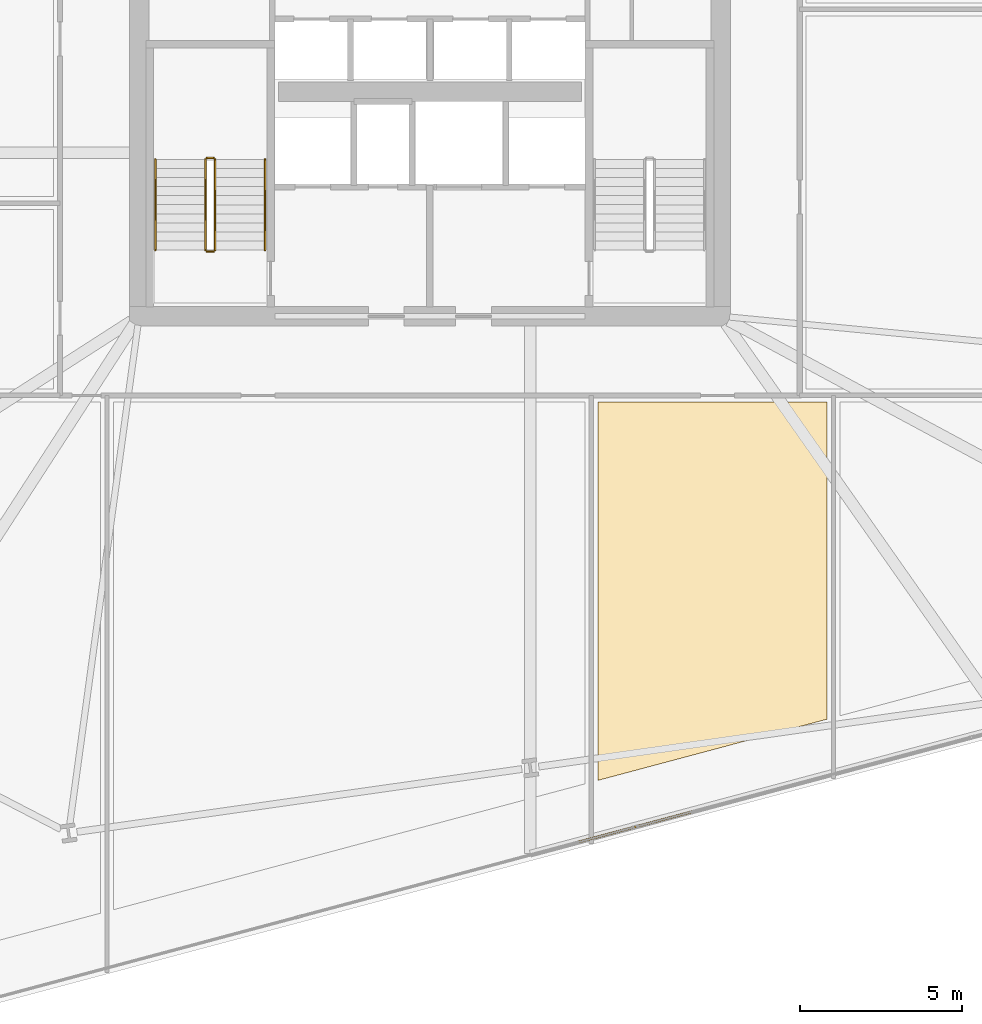
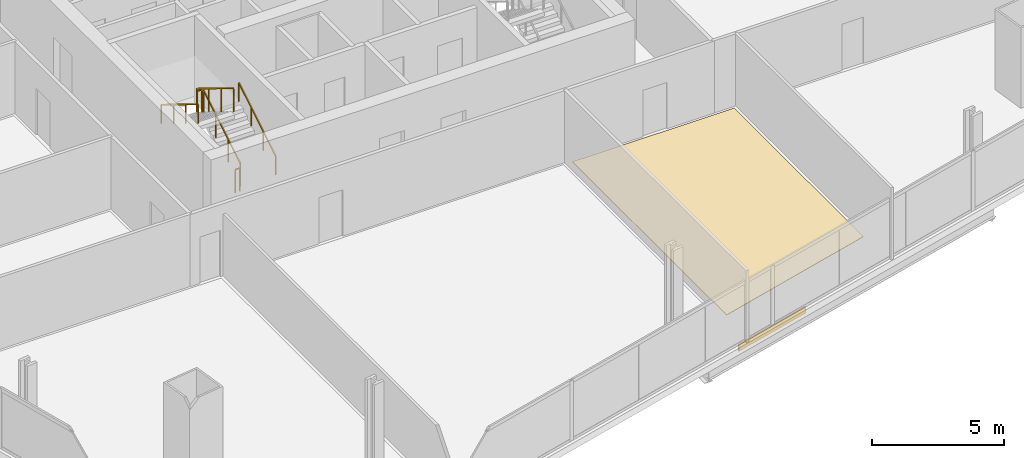
# One storey, part 30 of 33: 6 railings, 2 coverings.
"""IFC4 building model written with IfcOpenShell, lengths in metres."""

from ifc_helpers import new_model, si_unit, direction, frame, origin, origin_2d, place, context, subcontext, project, spatial, polyline, rectangle, outline, extrude, source, transform, mapped, material, layer, layer_set, type_object, element, save


model = new_model("IFC4")

# Units and contexts
model_context = context("Model", 3, precision=1e-05, world=origin(), true_north=direction((0.0, 1.0)))
body_context = subcontext(model_context, "Body", "Model", "MODEL_VIEW")
ifc_project = project(units=[si_unit("LENGTHUNIT", "METRE"), si_unit("AREAUNIT", "SQUARE_METRE"), si_unit("VOLUMEUNIT", "CUBIC_METRE"), si_unit("PLANEANGLEUNIT", "RADIAN"), si_unit("MASSUNIT", "GRAM", prefix="KILO")], contexts=[model_context])

# Site, building, storey
site_placement = place(None, origin())
site = spatial("IfcSite", under=ifc_project, at=site_placement, CompositionType="ELEMENT")
building_placement = place(site_placement, origin())
building = spatial("IfcBuilding", under=site, at=building_placement, Name="Haldenkirk Collegiate Tower", CompositionType="ELEMENT")
storey_placement = place(building_placement, frame((0.0, 0.0, 77.699951171875)))
storey = spatial("IfcBuildingStorey", under=building, at=storey_placement, Name="L18", CompositionType="ELEMENT", Elevation=77.699951171875)

# Covering
ifc_material_1 = material(Name="Engineered collegiate oak acoustic flooring", Category="wood")
ifc_layer_1 = layer(ifc_material_1, 0.02197265625)
ifc_layer_set_1 = layer_set([ifc_layer_1], Name="Engineered collegiate oak acoustic flooring")
covering_type_1 = type_object("IfcCoveringType", Name="COV-FLOOR-TIMBER", PredefinedType="FLOORING", material=ifc_layer_set_1)
covering_1_placement = place(storey_placement, origin())
element("IfcCovering", 1, at=covering_1_placement, inside=storey, type_object=covering_type_1, Name="L18 academic room finish 03", PredefinedType="FLOORING", context=body_context, shape_type="SweptSolid", body=[
    extrude(outline(polyline([(41.199951171875, 3.629150390625), (41.199951171875, 15.35009765625), (48.300048828125, 15.35009765625), (48.300048828125, 5.525146484375), (41.199951171875, 3.629150390625)])), origin(), (0.0, 0.0, 1.0), 0.02197265625),
])

# Railings
ifc_material_2 = material(Name="Painted architectural tubular steel", Category="steel")
railing_type_1 = type_object("IfcRailingType", Name="RLG-STAIR-GUARD-1100", PredefinedType="BALUSTRADE", material=ifc_material_2)
railing_1_placement = place(storey_placement, frame((29.35009765625, 20.050048828125, 0.17041015625)))
element("IfcRailing", 2, at=railing_1_placement, inside=storey, type_object=railing_type_1, Name="L18 ST-1 stair guard 1", PredefinedType="BALUSTRADE", context=body_context, shape_type="SweptSolid", body=[
    extrude(rectangle(XDim=0.048095703125, YDim=0.048095703125, at=origin_2d()), frame((0.0, 0.0, 1.076171875), z_axis=(0.0, 0.854169791009, 0.51999420009), x_axis=(-1.0, 0.0, 0.0)), (0.0, 0.0, 1.0), 3.278076171875),
    extrude(rectangle(XDim=0.0419921875, YDim=0.0419921875, at=origin_2d()), origin(), (0.0, 0.0, 1.0), 1.052001953125),
    extrude(rectangle(XDim=0.0419921875, YDim=0.0419921875, at=origin_2d()), frame((0.0, 0.933349609375, 0.568115234375)), (0.0, 0.0, 1.0), 1.052001953125),
    extrude(rectangle(XDim=0.0419921875, YDim=0.0419921875, at=origin_2d()), frame((0.0, 1.86669921875, 1.136474609375)), (0.0, 0.0, 1.0), 1.052001953125),
    extrude(rectangle(XDim=0.0419921875, YDim=0.0419921875, at=origin_2d()), frame((0.0, 2.800048828125, 1.70458984375)), (0.0, 0.0, 1.0), 1.052001953125),
])
railing_2_placement = place(storey_placement, frame((29.300048828125, 22.89990234375, 1.875)))
element("IfcRailing", 3, at=railing_2_placement, inside=storey, type_object=railing_type_1, Name="L18 ST-1 stair guard 2", PredefinedType="BALUSTRADE", context=body_context, shape_type="SweptSolid", body=[
    extrude(rectangle(XDim=0.048095703125, YDim=0.048095703125, at=origin_2d()), frame((0.0, 0.0, 1.076171875), z_axis=(-1.0, 0.0, 0.0), x_axis=(0.0, -1.0, 0.0)), (0.0, 0.0, 1.0), 0.199951171875),
    extrude(rectangle(XDim=0.0419921875, YDim=0.0419921875, at=origin_2d()), origin(), (0.0, 0.0, 1.0), 1.052001953125),
    extrude(rectangle(XDim=0.0419921875, YDim=0.0419921875, at=origin_2d()), frame((-0.199951171875, 0.0, 0.0)), (0.0, 0.0, 1.0), 1.052001953125),
])
railing_3_placement = place(storey_placement, frame((29.050048828125, 22.85009765625, 2.04541015625)))
element("IfcRailing", 4, at=railing_3_placement, inside=storey, type_object=railing_type_1, Name="L18 ST-1 stair guard 3", PredefinedType="BALUSTRADE", context=body_context, shape_type="SweptSolid", body=[
    extrude(rectangle(XDim=0.048095703125, YDim=0.048095703125, at=origin_2d()), frame((0.0, 0.0, 1.076171875), z_axis=(0.0, -0.854169791009, 0.51999420009), x_axis=(1.0, 0.0, 0.0)), (0.0, 0.0, 1.0), 3.278076171875),
    extrude(rectangle(XDim=0.0419921875, YDim=0.0419921875, at=origin_2d()), origin(), (0.0, 0.0, 1.0), 1.052001953125),
    extrude(rectangle(XDim=0.0419921875, YDim=0.0419921875, at=origin_2d()), frame((0.0, -0.933349609375, 0.568115234375)), (0.0, 0.0, 1.0), 1.052001953125),
    extrude(rectangle(XDim=0.0419921875, YDim=0.0419921875, at=origin_2d()), frame((0.0, -1.86669921875, 1.136474609375)), (0.0, 0.0, 1.0), 1.052001953125),
    extrude(rectangle(XDim=0.0419921875, YDim=0.0419921875, at=origin_2d()), frame((0.0, -2.800048828125, 1.70458984375)), (0.0, 0.0, 1.0), 1.052001953125),
])
railing_4_placement = place(storey_placement, frame((29.300048828125, 20.0, 0.0)))
element("IfcRailing", 5, at=railing_4_placement, inside=storey, type_object=railing_type_1, Name="L18 ST-1 stair guard 4", PredefinedType="BALUSTRADE", context=body_context, shape_type="SweptSolid", body=[
    extrude(rectangle(XDim=0.048095703125, YDim=0.048095703125, at=origin_2d()), frame((0.0, 0.0, 1.076171875), z_axis=(-1.0, 0.0, 0.0), x_axis=(0.0, -1.0, 0.0)), (0.0, 0.0, 1.0), 0.199951171875),
    extrude(rectangle(XDim=0.0419921875, YDim=0.0419921875, at=origin_2d()), origin(), (0.0, 0.0, 1.0), 1.052001953125),
    extrude(rectangle(XDim=0.0419921875, YDim=0.0419921875, at=origin_2d()), frame((-0.199951171875, 0.0, 0.0)), (0.0, 0.0, 1.0), 1.052001953125),
])
railing_type_2 = type_object("IfcRailingType", Name="RLG-STAIR-HANDRAIL-900", PredefinedType="HANDRAIL", material=ifc_material_2)
railing_5_placement = place(storey_placement, frame((30.89990234375, 20.050048828125, 0.17041015625)))
element("IfcRailing", 6, at=railing_5_placement, inside=storey, type_object=railing_type_2, Name="L18 ST-1 stair handrail 1", PredefinedType="HANDRAIL", context=body_context, shape_type="SweptSolid", body=[
    extrude(rectangle(XDim=0.048095703125, YDim=0.048095703125, at=origin_2d()), frame((0.0, 0.0, 0.8759765625), z_axis=(0.0, 0.854169791009, 0.51999420009), x_axis=(-1.0, 0.0, 0.0)), (0.0, 0.0, 1.0), 3.278076171875),
    extrude(rectangle(XDim=0.0419921875, YDim=0.0419921875, at=origin_2d()), origin(), (0.0, 0.0, 1.0), 0.851806640625),
    extrude(rectangle(XDim=0.0419921875, YDim=0.0419921875, at=origin_2d()), frame((0.0, 0.933349609375, 0.568115234375)), (0.0, 0.0, 1.0), 0.851806640625),
    extrude(rectangle(XDim=0.0419921875, YDim=0.0419921875, at=origin_2d()), frame((0.0, 1.86669921875, 1.136474609375)), (0.0, 0.0, 1.0), 0.851806640625),
    extrude(rectangle(XDim=0.0419921875, YDim=0.0419921875, at=origin_2d()), frame((0.0, 2.800048828125, 1.70458984375)), (0.0, 0.0, 1.0), 0.851806640625),
])
railing_6_placement = place(storey_placement, frame((27.5, 22.85009765625, 2.04541015625)))
element("IfcRailing", 7, at=railing_6_placement, inside=storey, type_object=railing_type_2, Name="L18 ST-1 stair handrail 2", PredefinedType="HANDRAIL", context=body_context, shape_type="SweptSolid", body=[
    extrude(rectangle(XDim=0.048095703125, YDim=0.048095703125, at=origin_2d()), frame((0.0, 0.0, 0.8759765625), z_axis=(0.0, -0.854169791009, 0.51999420009), x_axis=(1.0, 0.0, 0.0)), (0.0, 0.0, 1.0), 3.278076171875),
    extrude(rectangle(XDim=0.0419921875, YDim=0.0419921875, at=origin_2d()), origin(), (0.0, 0.0, 1.0), 0.851806640625),
    extrude(rectangle(XDim=0.0419921875, YDim=0.0419921875, at=origin_2d()), frame((0.0, -0.933349609375, 0.568115234375)), (0.0, 0.0, 1.0), 0.851806640625),
    extrude(rectangle(XDim=0.0419921875, YDim=0.0419921875, at=origin_2d()), frame((0.0, -1.86669921875, 1.136474609375)), (0.0, 0.0, 1.0), 0.851806640625),
    extrude(rectangle(XDim=0.0419921875, YDim=0.0419921875, at=origin_2d()), frame((0.0, -2.800048828125, 1.70458984375)), (0.0, 0.0, 1.0), 0.851806640625),
])

# Covering
ifc_material_3 = material(Name="Anodised architectural bronze aluminium", Category="aluminium")
ifc_layer_2 = layer(ifc_material_3, 0.06005859375)
ifc_layer_set_2 = layer_set([ifc_layer_2], Name="Anodised architectural bronze aluminium")
covering_type_2 = type_object("IfcCoveringType", Name="COV-CLAD-BRONZE-60", PredefinedType="CLADDING", material=ifc_layer_set_2)
shared_shape = source(origin(), body_context, "Body", "SweptSolid", [
    extrude(rectangle(XDim=3.60009765625, YDim=0.06005859375, at=origin_2d()), origin(), (0.0, 0.0, 1.0), 0.300048828125),
])
covering_2_placement = place(storey_placement, frame((42.35791015625, 2.189208984375, -0.2998046875), z_axis=(0.0, 0.0, 1.0), x_axis=(-0.966151320688, -0.257976017359, 0.0)))
element("IfcCovering", 8, at=covering_2_placement, inside=storey, type_object=covering_type_2, Name="L18 architectural bronze spandrel cladding S", PredefinedType="CLADDING", context=body_context, shape_type="MappedRepresentation", body=[
    mapped(shared_shape, transform((0.0, 0.0, 0.0), x_axis=(1.0, 0.0, 0.0), y_axis=(0.0, 1.0, 0.0), z_axis=(0.0, 0.0, 1.0), scale=1.0)),
])

save(model, "model.ifc")
